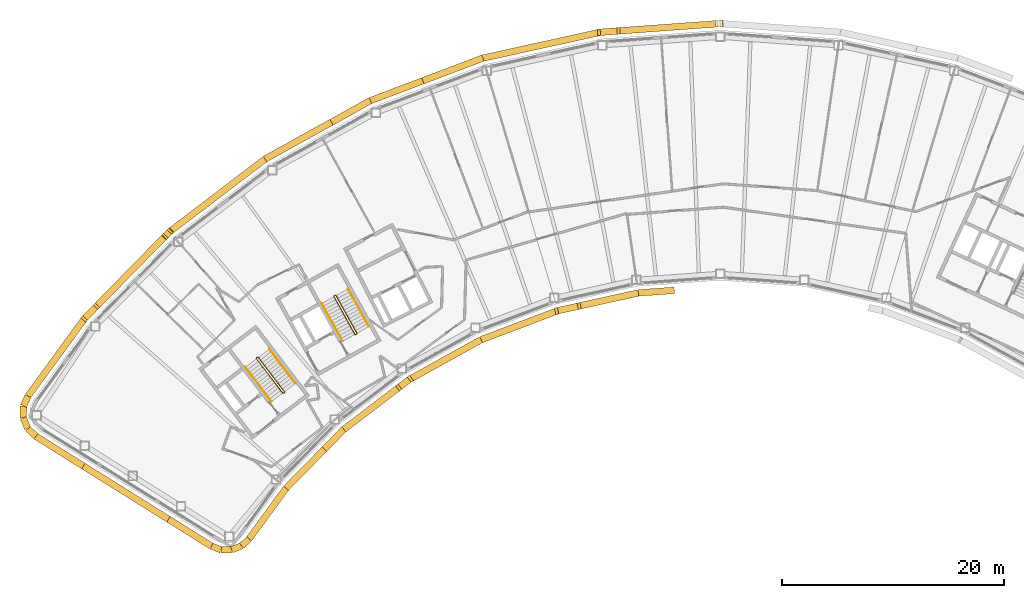
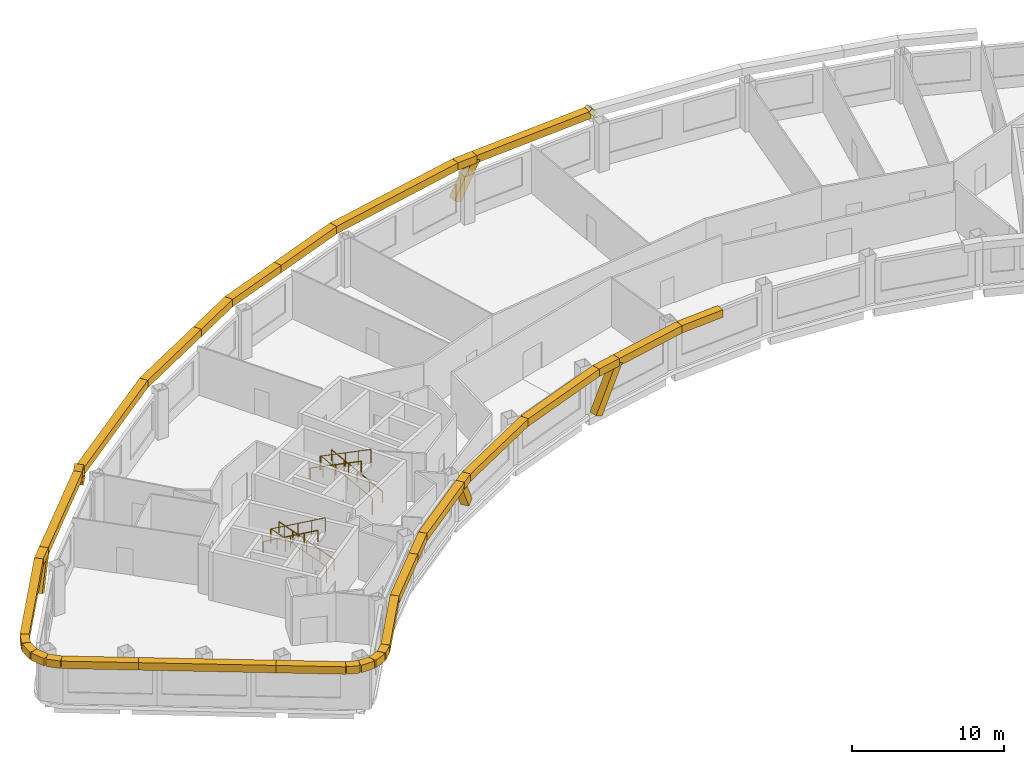
# One storey, part 12 of 13: 40 coverings, 6 railings.
"""IFC4 building model written with IfcOpenShell, lengths in metres."""

from ifc_helpers import new_model, si_unit, direction, frame, origin, origin_2d, place, context, subcontext, project, spatial, rectangle, circle, extrude, material, material_profile, profile_set, type_object, element, save


model = new_model("IFC4")

# Units and contexts
model_context = context("Model", 3, precision=1e-05, world=origin(), true_north=direction((0.0, 1.0)))
body_context = subcontext(model_context, "Body", "Model", "MODEL_VIEW")
ifc_project = project(units=[si_unit("LENGTHUNIT", "METRE"), si_unit("AREAUNIT", "SQUARE_METRE"), si_unit("VOLUMEUNIT", "CUBIC_METRE"), si_unit("PLANEANGLEUNIT", "RADIAN"), si_unit("MASSUNIT", "GRAM", prefix="KILO")], contexts=[model_context])

# Site, building, storey
site_placement = place(None, origin())
site = spatial("IfcSite", under=ifc_project, at=site_placement, CompositionType="ELEMENT")
building_placement = place(site_placement, origin())
building = spatial("IfcBuilding", under=site, at=building_placement, Name="Tuul Gate Civic Tower", CompositionType="ELEMENT")
storey_placement = place(building_placement, frame((0.0, 0.0, 230.5)))
storey = spatial("IfcBuildingStorey", under=building, at=storey_placement, Name="Level 52", CompositionType="ELEMENT", Elevation=230.5)

# Railings
ifc_material_1 = material(Name="Painted steel", Category="steel")
railing_type_1 = type_object("IfcRailingType", Name="Stair guard", PredefinedType="GUARDRAIL", material=ifc_material_1)
railing_1_placement = place(storey_placement, frame((-33.382080078125, -13.515380859375, 0.0)))
element("IfcRailing", 1, at=railing_1_placement, inside=storey, type_object=railing_type_1, Name="Level 52 ST-1 stair guard 1", PredefinedType="GUARDRAIL", context=body_context, shape_type="SweptSolid", body=[
    extrude(circle(Radius=0.02392578125, at=origin_2d()), frame((0.0, 0.0, 1.076171875), z_axis=(-0.795879841968, -0.605454603706, 0.0), x_axis=(0.605454603706, -0.795879841968, 0.0)), (0.0, 0.0, 1.0), 0.10009765625),
    extrude(circle(Radius=0.02392578125, at=origin_2d()), frame((-0.07958984375, -0.060546875, 1.076171875), z_axis=(0.408991890351, 0.599481263939, 0.688002796371), x_axis=(-0.826063974707, 0.563576356576, 0.0)), (0.0, 0.0, 1.0), 0.2177734375),
    extrude(circle(Radius=0.02392578125, at=origin_2d()), frame((0.009521484375, 0.070068359375, 1.22607421875), z_axis=(-0.541810893183, 0.711627203922, 0.44724454012), x_axis=(-0.795637165283, -0.60577347352, 0.0)), (0.0, 0.0, 1.0), 4.3603515625),
    extrude(circle(Radius=0.02392578125, at=origin_2d()), frame((-2.35302734375, 3.173095703125, 3.17626953125), z_axis=(-0.990893089246, 0.134650977284, 0.0), x_axis=(-0.134650977284, -0.990893089246, 0.0)), (0.0, 0.0, 1.0), 0.07080078125),
    extrude(circle(Radius=0.02392578125, at=origin_2d()), frame((-2.423095703125, 3.1826171875, 3.17626953125), z_axis=(-0.793802879778, -0.60817512943, 0.0), x_axis=(0.60817512943, -0.793802879778, 0.0)), (0.0, 0.0, 1.0), 0.099853515625),
    extrude(circle(Radius=0.02392578125, at=origin_2d()), frame((-2.50244140625, 3.121826171875, 3.17626953125), z_axis=(-0.057447065493, -0.422751481959, 0.904423031091), x_axis=(0.990893089246, -0.134650977284, 0.0)), (0.0, 0.0, 1.0), 0.165771484375),
    extrude(circle(Radius=0.02392578125, at=origin_2d()), frame((-2.511962890625, 3.0517578125, 3.326171875), z_axis=(0.541806494602, -0.71163897684, 0.447231136047), x_axis=(0.795644365679, 0.605764016233, 0.0)), (0.0, 0.0, 1.0), 4.360107421875),
    extrude(circle(Radius=0.02099609375, at=origin_2d()), origin(), (0.0, 0.0, 1.0), 1.052001953125),
    extrude(circle(Radius=0.02099609375, at=origin_2d()), frame((-0.07958984375, -0.060546875, 0.0)), (0.0, 0.0, 1.0), 1.052001953125),
    extrude(circle(Radius=0.02099609375, at=origin_2d()), frame((0.009521484375, 0.070068359375, 0.14990234375)), (0.0, 0.0, 1.0), 1.052001953125),
    extrude(circle(Radius=0.02099609375, at=origin_2d()), frame((-0.5810546875, 0.845703125, 0.637451171875)), (0.0, 0.0, 1.0), 1.052001953125),
    extrude(circle(Radius=0.02099609375, at=origin_2d()), frame((-1.171875, 1.62158203125, 1.125)), (0.0, 0.0, 1.0), 1.052001953125),
    extrude(circle(Radius=0.02099609375, at=origin_2d()), frame((-1.762451171875, 2.3974609375, 1.612548828125)), (0.0, 0.0, 1.0), 1.052001953125),
    extrude(circle(Radius=0.02099609375, at=origin_2d()), frame((-2.35302734375, 3.173095703125, 2.10009765625)), (0.0, 0.0, 1.0), 1.052001953125),
    extrude(circle(Radius=0.02099609375, at=origin_2d()), frame((-2.423095703125, 3.1826171875, 2.10009765625)), (0.0, 0.0, 1.0), 1.052001953125),
    extrude(circle(Radius=0.02099609375, at=origin_2d()), frame((-2.50244140625, 3.121826171875, 2.10009765625)), (0.0, 0.0, 1.0), 1.052001953125),
    extrude(circle(Radius=0.02099609375, at=origin_2d()), frame((-2.511962890625, 3.0517578125, 2.25)), (0.0, 0.0, 1.0), 1.052001953125),
    extrude(circle(Radius=0.02099609375, at=origin_2d()), frame((-1.92138671875, 2.276123046875, 2.737548828125)), (0.0, 0.0, 1.0), 1.052001953125),
    extrude(circle(Radius=0.02099609375, at=origin_2d()), frame((-1.330810546875, 1.50048828125, 3.22509765625)), (0.0, 0.0, 1.0), 1.052001953125),
    extrude(circle(Radius=0.02099609375, at=origin_2d()), frame((-0.740234375, 0.724609375, 3.71240234375)), (0.0, 0.0, 1.0), 1.052001953125),
    extrude(circle(Radius=0.02099609375, at=origin_2d()), frame((-0.149658203125, -0.051025390625, 4.199951171875)), (0.0, 0.0, 1.0), 1.052001953125),
])
railing_2_placement = place(storey_placement, frame((-26.857666015625, -8.247314453125, 0.0)))
element("IfcRailing", 2, at=railing_2_placement, inside=storey, type_object=railing_type_1, Name="Level 52 ST-2 stair guard 1", PredefinedType="GUARDRAIL", context=body_context, shape_type="SweptSolid", body=[
    extrude(circle(Radius=0.02392578125, at=origin_2d()), frame((0.0, 0.0, 1.076171875), z_axis=(-0.874616555828, -0.48481530532, 0.0), x_axis=(0.48481530532, -0.874616555828, 0.0)), (0.0, 0.0, 1.0), 0.10009765625),
    extrude(circle(Radius=0.02392578125, at=origin_2d()), frame((-0.087646484375, -0.048583984375, 1.076171875), z_axis=(0.49081399482, 0.534516610797, 0.688036056665), x_axis=(-0.736576986774, 0.676353711126, 0.0)), (0.0, 0.0, 1.0), 0.2177734375),
    extrude(circle(Radius=0.02392578125, at=origin_2d()), frame((0.019287109375, 0.06787109375, 1.22607421875), z_axis=(-0.433539057192, 0.782307594871, 0.447256875739), x_axis=(-0.874667644053, -0.484723129681, 0.0)), (0.0, 0.0, 1.0), 4.3603515625),
    extrude(circle(Radius=0.02392578125, at=origin_2d()), frame((-1.87109375, 3.47900390625, 3.17626953125), z_axis=(-0.961263487578, 0.275631107549, 0.0), x_axis=(-0.275631107549, -0.961263487578, 0.0)), (0.0, 0.0, 1.0), 0.07080078125),
    extrude(circle(Radius=0.02392578125, at=origin_2d()), frame((-1.939208984375, 3.49853515625, 3.17626953125), z_axis=(-0.874042088414, -0.485850211157, 0.0), x_axis=(0.485850211157, -0.874042088414, 0.0)), (0.0, 0.0, 1.0), 0.10009765625),
    extrude(circle(Radius=0.02392578125, at=origin_2d()), frame((-2.026611328125, 3.449951171875, 3.17626953125), z_axis=(-0.117866478395, -0.409586012422, 0.90462522168), x_axis=(0.961000426733, -0.276546885391, 0.0)), (0.0, 0.0, 1.0), 0.165771484375),
    extrude(circle(Radius=0.02392578125, at=origin_2d()), frame((-2.046142578125, 3.382080078125, 3.326171875), z_axis=(0.433595379963, -0.782308193291, 0.447201226726), x_axis=(0.874641102302, 0.484771020343, 0.0)), (0.0, 0.0, 1.0), 4.3603515625),
    extrude(circle(Radius=0.02099609375, at=origin_2d()), origin(), (0.0, 0.0, 1.0), 1.052001953125),
    extrude(circle(Radius=0.02099609375, at=origin_2d()), frame((-0.087646484375, -0.048583984375, 0.0)), (0.0, 0.0, 1.0), 1.052001953125),
    extrude(circle(Radius=0.02099609375, at=origin_2d()), frame((0.019287109375, 0.06787109375, 0.14990234375)), (0.0, 0.0, 1.0), 1.052001953125),
    extrude(circle(Radius=0.02099609375, at=origin_2d()), frame((-0.453369140625, 0.920654296875, 0.637451171875)), (0.0, 0.0, 1.0), 1.052001953125),
    extrude(circle(Radius=0.02099609375, at=origin_2d()), frame((-0.92578125, 1.7734375, 1.125)), (0.0, 0.0, 1.0), 1.052001953125),
    extrude(circle(Radius=0.02099609375, at=origin_2d()), frame((-1.3984375, 2.626220703125, 1.612548828125)), (0.0, 0.0, 1.0), 1.052001953125),
    extrude(circle(Radius=0.02099609375, at=origin_2d()), frame((-1.87109375, 3.47900390625, 2.10009765625)), (0.0, 0.0, 1.0), 1.052001953125),
    extrude(circle(Radius=0.02099609375, at=origin_2d()), frame((-1.939208984375, 3.49853515625, 2.10009765625)), (0.0, 0.0, 1.0), 1.052001953125),
    extrude(circle(Radius=0.02099609375, at=origin_2d()), frame((-2.026611328125, 3.449951171875, 2.10009765625)), (0.0, 0.0, 1.0), 1.052001953125),
    extrude(circle(Radius=0.02099609375, at=origin_2d()), frame((-2.046142578125, 3.382080078125, 2.25)), (0.0, 0.0, 1.0), 1.052001953125),
    extrude(circle(Radius=0.02099609375, at=origin_2d()), frame((-1.573486328125, 2.529296875, 2.737548828125)), (0.0, 0.0, 1.0), 1.052001953125),
    extrude(circle(Radius=0.02099609375, at=origin_2d()), frame((-1.100830078125, 1.676513671875, 3.22509765625)), (0.0, 0.0, 1.0), 1.052001953125),
    extrude(circle(Radius=0.02099609375, at=origin_2d()), frame((-0.628173828125, 0.82373046875, 3.71240234375)), (0.0, 0.0, 1.0), 1.052001953125),
    extrude(circle(Radius=0.02099609375, at=origin_2d()), frame((-0.155517578125, -0.029052734375, 4.199951171875)), (0.0, 0.0, 1.0), 1.052001953125),
])
ifc_material_2 = material(Name="Painted steel", Category="steel")
railing_type_2 = type_object("IfcRailingType", Name="Stair handrail", PredefinedType="HANDRAIL", material=ifc_material_2)
railing_3_placement = place(storey_placement, frame((-32.3779296875, -12.688232421875, 0.14990234375)))
element("IfcRailing", 3, at=railing_3_placement, inside=storey, type_object=railing_type_2, Name="Level 52 ST-1 stair handrail 1", PredefinedType="HANDRAIL", context=body_context, shape_type="SweptSolid", body=[
    extrude(circle(Radius=0.02392578125, at=origin_2d()), frame((0.0, 0.0, 0.8759765625), z_axis=(-0.541810893183, 0.711627203922, 0.44724454012), x_axis=(-0.795637165283, -0.60577347352, 0.0)), (0.0, 0.0, 1.0), 4.3603515625),
    extrude(circle(Radius=0.02099609375, at=origin_2d()), origin(), (0.0, 0.0, 1.0), 0.851806640625),
    extrude(circle(Radius=0.02099609375, at=origin_2d()), frame((-0.590576171875, 0.77587890625, 0.487548828125)), (0.0, 0.0, 1.0), 0.851806640625),
    extrude(circle(Radius=0.02099609375, at=origin_2d()), frame((-1.18115234375, 1.551513671875, 0.97509765625)), (0.0, 0.0, 1.0), 0.851806640625),
    extrude(circle(Radius=0.02099609375, at=origin_2d()), frame((-1.77197265625, 2.3271484375, 1.462646484375)), (0.0, 0.0, 1.0), 0.851806640625),
    extrude(circle(Radius=0.02099609375, at=origin_2d()), frame((-2.362548828125, 3.10302734375, 1.9501953125)), (0.0, 0.0, 1.0), 0.851806640625),
])
railing_4_placement = place(storey_placement, frame((-36.888671875, -11.220703125, 2.25)))
element("IfcRailing", 4, at=railing_4_placement, inside=storey, type_object=railing_type_2, Name="Level 52 ST-1 stair handrail 2", PredefinedType="HANDRAIL", context=body_context, shape_type="SweptSolid", body=[
    extrude(circle(Radius=0.02392578125, at=origin_2d()), frame((0.0, 0.0, 0.8759765625), z_axis=(0.541824460341, -0.711645023348, 0.447199748346), x_axis=(0.795637165283, 0.60577347352, 0.0)), (0.0, 0.0, 1.0), 4.3603515625),
    extrude(circle(Radius=0.02099609375, at=origin_2d()), origin(), (0.0, 0.0, 1.0), 0.851806640625),
    extrude(circle(Radius=0.02099609375, at=origin_2d()), frame((0.590576171875, -0.77587890625, 0.487548828125)), (0.0, 0.0, 1.0), 0.851806640625),
    extrude(circle(Radius=0.02099609375, at=origin_2d()), frame((1.18115234375, -1.551513671875, 0.97509765625)), (0.0, 0.0, 1.0), 0.851806640625),
    extrude(circle(Radius=0.02099609375, at=origin_2d()), frame((1.77197265625, -2.3271484375, 1.46240234375)), (0.0, 0.0, 1.0), 0.851806640625),
    extrude(circle(Radius=0.02099609375, at=origin_2d()), frame((2.362548828125, -3.10302734375, 1.949951171875)), (0.0, 0.0, 1.0), 0.851806640625),
])
railing_5_placement = place(storey_placement, frame((-25.744873046875, -7.573486328125, 0.14990234375)))
element("IfcRailing", 5, at=railing_5_placement, inside=storey, type_object=railing_type_2, Name="Level 52 ST-2 stair handrail 1", PredefinedType="HANDRAIL", context=body_context, shape_type="SweptSolid", body=[
    extrude(circle(Radius=0.02392578125, at=origin_2d()), frame((0.0, 0.0, 0.8759765625), z_axis=(-0.433584522764, 0.782288604346, 0.447246018574), x_axis=(-0.874641102302, -0.484771020343, 0.0)), (0.0, 0.0, 1.0), 4.3603515625),
    extrude(circle(Radius=0.02099609375, at=origin_2d()), origin(), (0.0, 0.0, 1.0), 0.851806640625),
    extrude(circle(Radius=0.02099609375, at=origin_2d()), frame((-0.47265625, 0.852783203125, 0.487548828125)), (0.0, 0.0, 1.0), 0.851806640625),
    extrude(circle(Radius=0.02099609375, at=origin_2d()), frame((-0.9453125, 1.70556640625, 0.97509765625)), (0.0, 0.0, 1.0), 0.851806640625),
    extrude(circle(Radius=0.02099609375, at=origin_2d()), frame((-1.41796875, 2.558349609375, 1.462646484375)), (0.0, 0.0, 1.0), 0.851806640625),
    extrude(circle(Radius=0.02099609375, at=origin_2d()), frame((-1.890625, 3.4111328125, 1.9501953125)), (0.0, 0.0, 1.0), 0.851806640625),
])
railing_6_placement = place(storey_placement, frame((-29.9970703125, -5.47119140625, 2.25)))
element("IfcRailing", 6, at=railing_6_placement, inside=storey, type_object=railing_type_2, Name="Level 52 ST-2 stair handrail 2", PredefinedType="HANDRAIL", context=body_context, shape_type="SweptSolid", body=[
    extrude(circle(Radius=0.02392578125, at=origin_2d()), frame((0.0, 0.0, 0.8759765625), z_axis=(0.433595379963, -0.782308193291, 0.447201226726), x_axis=(0.874641102302, 0.484771020343, 0.0)), (0.0, 0.0, 1.0), 4.3603515625),
    extrude(circle(Radius=0.02099609375, at=origin_2d()), origin(), (0.0, 0.0, 1.0), 0.851806640625),
    extrude(circle(Radius=0.02099609375, at=origin_2d()), frame((0.47265625, -0.852783203125, 0.487548828125)), (0.0, 0.0, 1.0), 0.851806640625),
    extrude(circle(Radius=0.02099609375, at=origin_2d()), frame((0.9453125, -1.70556640625, 0.97509765625)), (0.0, 0.0, 1.0), 0.851806640625),
    extrude(circle(Radius=0.02099609375, at=origin_2d()), frame((1.41796875, -2.558349609375, 1.46240234375)), (0.0, 0.0, 1.0), 0.851806640625),
    extrude(circle(Radius=0.02099609375, at=origin_2d()), frame((1.890625, -3.4111328125, 1.949951171875)), (0.0, 0.0, 1.0), 0.851806640625),
])

# Coverings
ifc_material_3 = material(Name="Terracotta baguette", Category="masonry")
ifc_material_profile = material_profile(ifc_material_3, rectangle(XDim=0.60009765625, YDim=0.60009765625, at=origin_2d()), Name="Terracotta baguette screen frame")
ifc_profile_set = profile_set([ifc_material_profile], Name="Terracotta baguette")
covering_type = type_object("IfcCoveringType", Name="Terracotta baguette screen frame", PredefinedType="CLADDING", material=ifc_profile_set)
covering_1_placement = place(storey_placement, frame((5.93994140625, 19.76904296875, 4.099365234375), z_axis=(-0.731896809829, -0.053228858897, -0.679333311669), x_axis=(0.072535695779, -0.997365816959, 0.0)))
element("IfcCovering", 7, at=covering_1_placement, inside=storey, type_object=covering_type, Name="Baguette 72", PredefinedType="CLADDING", context=body_context, shape_type="SweptSolid", body=[
    extrude(rectangle(XDim=0.60009765625, YDim=0.60009765625, at=origin_2d()), origin(), (0.0, 0.0, 1.0), 0.366943359375),
])
covering_2_placement = place(storey_placement, frame((5.67138671875, 19.74951171875, 3.85009765625), z_axis=(-0.997380380277, -0.072335171524, 0.0), x_axis=(0.072335171524, -0.997380380277, 0.0)))
element("IfcCovering", 8, at=covering_2_placement, inside=storey, type_object=covering_type, Name="Baguette 78", PredefinedType="CLADDING", context=body_context, shape_type="SweptSolid", body=[
    extrude(rectangle(XDim=0.60009765625, YDim=0.60009765625, at=origin_2d()), origin(), (0.0, 0.0, 1.0), 9.072265625),
])
covering_3_placement = place(storey_placement, frame((-3.377197265625, 19.09326171875, 3.85009765625), z_axis=(-0.473907258858, -0.034338879026, -0.879904967249), x_axis=(0.072269598768, -0.997385133784, 0.0)))
element("IfcCovering", 9, at=covering_3_placement, inside=storey, type_object=covering_type, Name="Baguette 83", PredefinedType="CLADDING", context=body_context, shape_type="SweptSolid", body=[
    extrude(rectangle(XDim=0.60009765625, YDim=0.60009765625, at=origin_2d()), origin(), (0.0, 0.0, 1.0), 3.177978515625),
])
covering_4_placement = place(storey_placement, frame((-20.889892578125, 14.603515625, 3.85009765625), z_axis=(-0.935375437062, -0.353656318679, 0.0), x_axis=(0.353656318679, -0.935375437062, 0.0)))
element("IfcCovering", 10, at=covering_4_placement, inside=storey, type_object=covering_type, Name="Baguette 99", PredefinedType="CLADDING", context=body_context, shape_type="SweptSolid", body=[
    extrude(rectangle(XDim=0.60009765625, YDim=0.60009765625, at=origin_2d()), origin(), (0.0, 0.0, 1.0), 5.067626953125),
])
covering_5_placement = place(storey_placement, frame((-25.630126953125, 12.811279296875, 3.85009765625), z_axis=(-0.874611227517, -0.484824917575, 0.0), x_axis=(0.484824917575, -0.874611227517, 0.0)))
element("IfcCovering", 11, at=covering_5_placement, inside=storey, type_object=covering_type, Name="Baguette 100", PredefinedType="CLADDING", context=body_context, shape_type="SweptSolid", body=[
    extrude(rectangle(XDim=0.60009765625, YDim=0.60009765625, at=origin_2d()), origin(), (0.0, 0.0, 1.0), 4.0048828125),
])
covering_6_placement = place(storey_placement, frame((-43.753662109375, 0.976806640625, 4.2646484375), z_axis=(-0.513389249623, -0.524193232273, -0.679450464427), x_axis=(0.714430906799, -0.69970599498, 0.0)))
element("IfcCovering", 12, at=covering_6_placement, inside=storey, type_object=covering_type, Name="Baguette 114", PredefinedType="CLADDING", context=body_context, shape_type="SweptSolid", body=[
    extrude(rectangle(XDim=0.60009765625, YDim=0.60009765625, at=origin_2d()), origin(), (0.0, 0.0, 1.0), 0.610107421875),
])
covering_7_placement = place(storey_placement, frame((-44.06689453125, 0.656982421875, 3.85009765625), z_axis=(0.332358905678, 0.339353208447, -0.879986907706), x_axis=(-0.714430906799, 0.69970599498, 0.0)))
element("IfcCovering", 13, at=covering_7_placement, inside=storey, type_object=covering_type, Name="Baguette 118", PredefinedType="CLADDING", context=body_context, shape_type="SweptSolid", body=[
    extrude(rectangle(XDim=0.60009765625, YDim=0.60009765625, at=origin_2d()), origin(), (0.0, 0.0, 1.0), 0.9423828125),
])
covering_8_placement = place(storey_placement, frame((-44.06689453125, 0.656982421875, 3.85009765625), z_axis=(-0.69999391998, -0.714148802415, 0.0), x_axis=(0.714148802415, -0.69999391998, 0.0)))
element("IfcCovering", 14, at=covering_8_placement, inside=storey, type_object=covering_type, Name="Baguette 120", PredefinedType="CLADDING", context=body_context, shape_type="SweptSolid", body=[
    extrude(rectangle(XDim=0.60009765625, YDim=0.60009765625, at=origin_2d()), origin(), (0.0, 0.0, 1.0), 9.072265625),
])
covering_9_placement = place(storey_placement, frame((-50.41748046875, -5.822021484375, 3.85009765625), z_axis=(-0.332654431054, -0.33927615362, -0.879904950029), x_axis=(0.714040485418, -0.700104410202, 0.0)))
element("IfcCovering", 15, at=covering_9_placement, inside=storey, type_object=covering_type, Name="Baguette 125", PredefinedType="CLADDING", context=body_context, shape_type="SweptSolid", body=[
    extrude(rectangle(XDim=0.60009765625, YDim=0.60009765625, at=origin_2d()), origin(), (0.0, 0.0, 1.0), 2.802001953125),
])
covering_10_placement = place(storey_placement, frame((-51.505615234375, -20.144287109375, 3.85009765625), z_axis=(0.848051326016, -0.529914095342, 0.0), x_axis=(0.529914095342, 0.848051326016, 0.0)))
element("IfcCovering", 16, at=covering_10_placement, inside=storey, type_object=covering_type, Name="Baguette 152", PredefinedType="CLADDING", context=body_context, shape_type="SweptSolid", body=[
    extrude(rectangle(XDim=0.60009765625, YDim=0.60009765625, at=origin_2d()), origin(), (0.0, 0.0, 1.0), 9.052978515625),
])
covering_11_placement = place(storey_placement, frame((-29.767578125, -18.612060546875, 3.85009765625), z_axis=(0.699987797837, 0.714154803162, 0.0), x_axis=(-0.714154803162, 0.699987797837, 0.0)))
element("IfcCovering", 17, at=covering_11_placement, inside=storey, type_object=covering_type, Name="Baguette 184", PredefinedType="CLADDING", context=body_context, shape_type="SweptSolid", body=[
    extrude(rectangle(XDim=0.60009765625, YDim=0.60009765625, at=origin_2d()), origin(), (0.0, 0.0, 1.0), 2.4814453125),
])
covering_12_placement = place(storey_placement, frame((-28.030517578125, -16.83984375, 3.85009765625), z_axis=(0.795586533253, 0.605839969057, 0.0), x_axis=(-0.605839969057, 0.795586533253, 0.0)))
element("IfcCovering", 18, at=covering_12_placement, inside=storey, type_object=covering_type, Name="Baguette 185", PredefinedType="CLADDING", context=body_context, shape_type="SweptSolid", body=[
    extrude(rectangle(XDim=0.60009765625, YDim=0.60009765625, at=origin_2d()), origin(), (0.0, 0.0, 1.0), 6.370361328125),
])
covering_13_placement = place(storey_placement, frame((-22.96240234375, -12.98046875, 3.85009765625), z_axis=(0.370796373736, 0.282387396518, -0.884741435399), x_axis=(-0.605874698824, 0.795560085302, 0.0)))
element("IfcCovering", 19, at=covering_13_placement, inside=storey, type_object=covering_type, Name="Baguette 190", PredefinedType="CLADDING", context=body_context, shape_type="SweptSolid", body=[
    extrude(rectangle(XDim=0.60009765625, YDim=0.60009765625, at=origin_2d()), origin(), (0.0, 0.0, 1.0), 2.247802734375),
])
covering_14_placement = place(storey_placement, frame((-6.925048828125, -5.73388671875, 3.85009765625), z_axis=(-0.45518057448, -0.10035231072, -0.884725979244), x_axis=(0.215296786561, -0.976548664275, 0.0)))
element("IfcCovering", 20, at=covering_14_placement, inside=storey, type_object=covering_type, Name="Baguette 208", PredefinedType="CLADDING", context=body_context, shape_type="SweptSolid", body=[
    extrude(rectangle(XDim=0.60009765625, YDim=0.60009765625, at=origin_2d()), origin(), (0.0, 0.0, 1.0), 3.90478515625),
])
covering_15_placement = place(storey_placement, frame((-6.925048828125, -5.73388671875, 3.85009765625), z_axis=(0.976560188543, 0.215244507836, 0.0), x_axis=(-0.215244507836, 0.976560188543, 0.0)))
element("IfcCovering", 21, at=covering_15_placement, inside=storey, type_object=covering_type, Name="Baguette 210", PredefinedType="CLADDING", context=body_context, shape_type="SweptSolid", body=[
    extrude(rectangle(XDim=0.60009765625, YDim=0.60009765625, at=origin_2d()), origin(), (0.0, 0.0, 1.0), 5.597412109375),
])
covering_16_placement = place(storey_placement, frame((-1.458740234375, -4.529052734375, 3.85009765625), z_axis=(0.997392392796, 0.072169348016, 0.0), x_axis=(-0.072169348016, 0.997392392796, 0.0)))
element("IfcCovering", 22, at=covering_16_placement, inside=storey, type_object=covering_type, Name="Baguette 211", PredefinedType="CLADDING", context=body_context, shape_type="SweptSolid", body=[
    extrude(rectangle(XDim=0.60009765625, YDim=0.60009765625, at=origin_2d()), origin(), (0.0, 0.0, 1.0), 3.25439453125),
])
covering_17_placement = place(storey_placement, frame((-3.377197265625, 19.09326171875, 3.85009765625), z_axis=(-0.997385133784, -0.072269598768, 0.0), x_axis=(0.072269598768, -0.997385133784, 0.0)))
element("IfcCovering", 23, at=covering_17_placement, inside=storey, type_object=covering_type, Name="Baguette 311", PredefinedType="CLADDING", context=body_context, shape_type="SweptSolid", body=[
    extrude(rectangle(XDim=0.60009765625, YDim=0.60009765625, at=origin_2d()), origin(), (0.0, 0.0, 1.0), 1.510009765625),
])
covering_18_placement = place(storey_placement, frame((-4.88330078125, 18.984130859375, 3.85009765625), z_axis=(-0.976565652409, -0.215219716881, 0.0), x_axis=(0.215219716881, -0.976565652409, 0.0)))
element("IfcCovering", 24, at=covering_18_placement, inside=storey, type_object=covering_type, Name="Baguette 312", PredefinedType="CLADDING", context=body_context, shape_type="SweptSolid", body=[
    extrude(rectangle(XDim=0.60009765625, YDim=0.60009765625, at=origin_2d()), origin(), (0.0, 0.0, 1.0), 10.8515625),
])
covering_19_placement = place(storey_placement, frame((-15.48046875, 16.648681640625, 3.85009765625), z_axis=(-0.935380259601, -0.353643563419, 0.0), x_axis=(0.353643563419, -0.935380259601, 0.0)))
element("IfcCovering", 25, at=covering_19_placement, inside=storey, type_object=covering_type, Name="Baguette 313", PredefinedType="CLADDING", context=body_context, shape_type="SweptSolid", body=[
    extrude(rectangle(XDim=0.60009765625, YDim=0.60009765625, at=origin_2d()), origin(), (0.0, 0.0, 1.0), 5.783203125),
])
covering_20_placement = place(storey_placement, frame((-29.1328125, 10.86962890625, 3.85009765625), z_axis=(-0.87460269701, -0.484840306062, 0.0), x_axis=(0.484840306062, -0.87460269701, 0.0)))
element("IfcCovering", 26, at=covering_20_placement, inside=storey, type_object=covering_type, Name="Baguette 316", PredefinedType="CLADDING", context=body_context, shape_type="SweptSolid", body=[
    extrude(rectangle(XDim=0.60009765625, YDim=0.60009765625, at=origin_2d()), origin(), (0.0, 0.0, 1.0), 6.845703125),
])
covering_21_placement = place(storey_placement, frame((-35.1201171875, 7.550537109375, 3.85009765625), z_axis=(-0.795618643442, -0.605797799771, 0.0), x_axis=(0.605797799771, -0.795618643442, 0.0)))
element("IfcCovering", 27, at=covering_21_placement, inside=storey, type_object=covering_type, Name="Baguette 317", PredefinedType="CLADDING", context=body_context, shape_type="SweptSolid", body=[
    extrude(rectangle(XDim=0.60009765625, YDim=0.60009765625, at=origin_2d()), origin(), (0.0, 0.0, 1.0), 10.851318359375),
])
covering_22_placement = place(storey_placement, frame((-43.753662109375, 0.976806640625, 3.85009765625), z_axis=(-0.69970599498, -0.714430906799, 0.0), x_axis=(0.714430906799, -0.69970599498, 0.0)))
element("IfcCovering", 28, at=covering_22_placement, inside=storey, type_object=covering_type, Name="Baguette 318", PredefinedType="CLADDING", context=body_context, shape_type="SweptSolid", body=[
    extrude(rectangle(XDim=0.60009765625, YDim=0.60009765625, at=origin_2d()), origin(), (0.0, 0.0, 1.0), 0.44775390625),
])
covering_23_placement = place(storey_placement, frame((-50.41748046875, -5.822021484375, 3.85009765625), z_axis=(-0.700104410202, -0.714040485418, 0.0), x_axis=(0.714040485418, -0.700104410202, 0.0)))
element("IfcCovering", 29, at=covering_23_placement, inside=storey, type_object=covering_type, Name="Baguette 326", PredefinedType="CLADDING", context=body_context, shape_type="SweptSolid", body=[
    extrude(rectangle(XDim=0.60009765625, YDim=0.60009765625, at=origin_2d()), origin(), (0.0, 0.0, 1.0), 1.331298828125),
])
covering_24_placement = place(storey_placement, frame((-51.349609375, -6.772705078125, 3.85009765625), z_axis=(-0.589882040024, -0.807489429564, 0.0), x_axis=(0.807489429564, -0.589882040024, 0.0)))
element("IfcCovering", 30, at=covering_24_placement, inside=storey, type_object=covering_type, Name="Baguette 327", PredefinedType="CLADDING", context=body_context, shape_type="SweptSolid", body=[
    extrude(rectangle(XDim=0.60009765625, YDim=0.60009765625, at=origin_2d()), origin(), (0.0, 0.0, 1.0), 8.7353515625),
])
covering_25_placement = place(storey_placement, frame((-56.50244140625, -13.826416015625, 3.85009765625), z_axis=(-0.411904289645, -0.911227115582, 0.0), x_axis=(0.911227115582, -0.411904289645, 0.0)))
element("IfcCovering", 31, at=covering_25_placement, inside=storey, type_object=covering_type, Name="Baguette 328", PredefinedType="CLADDING", context=body_context, shape_type="SweptSolid", body=[
    extrude(rectangle(XDim=0.60009765625, YDim=0.60009765625, at=origin_2d()), origin(), (0.0, 0.0, 1.0), 0.988525390625),
])
covering_26_placement = place(storey_placement, frame((-56.90966796875, -14.727294921875, 3.85009765625), z_axis=(-0.014657151856, -0.99989257818, 0.0), x_axis=(0.99989257818, -0.014657151856, 0.0)))
element("IfcCovering", 32, at=covering_26_placement, inside=storey, type_object=covering_type, Name="Baguette 329", PredefinedType="CLADDING", context=body_context, shape_type="SweptSolid", body=[
    extrude(rectangle(XDim=0.60009765625, YDim=0.60009765625, at=origin_2d()), origin(), (0.0, 0.0, 1.0), 1.06591796875),
])
covering_27_placement = place(storey_placement, frame((-56.92529296875, -15.793212890625, 3.85009765625), z_axis=(0.385784883999, -0.922588761734, 0.0), x_axis=(0.922588761734, 0.385784883999, 0.0)))
element("IfcCovering", 33, at=covering_27_placement, inside=storey, type_object=covering_type, Name="Baguette 330", PredefinedType="CLADDING", context=body_context, shape_type="SweptSolid", body=[
    extrude(rectangle(XDim=0.60009765625, YDim=0.60009765625, at=origin_2d()), origin(), (0.0, 0.0, 1.0), 1.06689453125),
])
covering_28_placement = place(storey_placement, frame((-56.513671875, -16.777587890625, 3.85009765625), z_axis=(0.722137314744, -0.691749737011, 0.0), x_axis=(0.691749737011, 0.722137314744, 0.0)))
element("IfcCovering", 34, at=covering_28_placement, inside=storey, type_object=covering_type, Name="Baguette 331", PredefinedType="CLADDING", context=body_context, shape_type="SweptSolid", body=[
    extrude(rectangle(XDim=0.60009765625, YDim=0.60009765625, at=origin_2d()), origin(), (0.0, 0.0, 1.0), 0.98828125),
])
covering_29_placement = place(storey_placement, frame((-55.800048828125, -17.461181640625, 3.85009765625), z_axis=(0.848079553138, -0.529868919215, 0.0), x_axis=(0.529868919215, 0.848079553138, 0.0)))
element("IfcCovering", 35, at=covering_29_placement, inside=storey, type_object=covering_type, Name="Baguette 332", PredefinedType="CLADDING", context=body_context, shape_type="SweptSolid", body=[
    extrude(rectangle(XDim=0.60009765625, YDim=0.60009765625, at=origin_2d()), origin(), (0.0, 0.0, 1.0), 5.063720703125),
])
covering_30_placement = place(storey_placement, frame((-43.828125, -24.941650390625, 3.85009765625), z_axis=(0.848043227291, -0.529927055967, 0.0), x_axis=(0.529927055967, 0.848043227291, 0.0)))
element("IfcCovering", 36, at=covering_30_placement, inside=storey, type_object=covering_type, Name="Baguette 340", PredefinedType="CLADDING", context=body_context, shape_type="SweptSolid", body=[
    extrude(rectangle(XDim=0.60009765625, YDim=0.60009765625, at=origin_2d()), origin(), (0.0, 0.0, 1.0), 4.579345703125),
])
covering_31_placement = place(storey_placement, frame((-39.944580078125, -27.368408203125, 3.85009765625), z_axis=(0.93189278144, -0.362733847194, 0.0), x_axis=(0.362733847194, 0.93189278144, 0.0)))
element("IfcCovering", 37, at=covering_31_placement, inside=storey, type_object=covering_type, Name="Baguette 341", PredefinedType="CLADDING", context=body_context, shape_type="SweptSolid", body=[
    extrude(rectangle(XDim=0.60009765625, YDim=0.60009765625, at=origin_2d()), origin(), (0.0, 0.0, 1.0), 0.901123046875),
])
covering_32_placement = place(storey_placement, frame((-39.104736328125, -27.6953125, 3.85009765625), z_axis=(0.999996192163, 0.002759648297, 0.0), x_axis=(-0.002759648297, 0.999996192163, 0.0)))
element("IfcCovering", 38, at=covering_32_placement, inside=storey, type_object=covering_type, Name="Baguette 342", PredefinedType="CLADDING", context=body_context, shape_type="SweptSolid", body=[
    extrude(rectangle(XDim=0.60009765625, YDim=0.60009765625, at=origin_2d()), origin(), (0.0, 0.0, 1.0), 0.97314453125),
])
covering_33_placement = place(storey_placement, frame((-38.131591796875, -27.692626953125, 3.85009765625), z_axis=(0.929477054746, 0.368879932634, 0.0), x_axis=(-0.368879932634, 0.929477054746, 0.0)))
element("IfcCovering", 39, at=covering_33_placement, inside=storey, type_object=covering_type, Name="Baguette 343", PredefinedType="CLADDING", context=body_context, shape_type="SweptSolid", body=[
    extrude(rectangle(XDim=0.60009765625, YDim=0.60009765625, at=origin_2d()), origin(), (0.0, 0.0, 1.0), 0.972900390625),
])
covering_34_placement = place(storey_placement, frame((-37.227294921875, -27.333740234375, 3.85009765625), z_axis=(0.730001285686, 0.683445771731, 0.0), x_axis=(-0.683445771731, 0.730001285686, 0.0)))
element("IfcCovering", 40, at=covering_34_placement, inside=storey, type_object=covering_type, Name="Baguette 344", PredefinedType="CLADDING", context=body_context, shape_type="SweptSolid", body=[
    extrude(rectangle(XDim=0.60009765625, YDim=0.60009765625, at=origin_2d()), origin(), (0.0, 0.0, 1.0), 0.902099609375),
])
covering_35_placement = place(storey_placement, frame((-36.56884765625, -26.71728515625, 3.85009765625), z_axis=(0.589841740077, 0.807518867682, 0.0), x_axis=(-0.807518867682, 0.589841740077, 0.0)))
element("IfcCovering", 41, at=covering_35_placement, inside=storey, type_object=covering_type, Name="Baguette 345", PredefinedType="CLADDING", context=body_context, shape_type="SweptSolid", body=[
    extrude(rectangle(XDim=0.60009765625, YDim=0.60009765625, at=origin_2d()), origin(), (0.0, 0.0, 1.0), 5.671875),
])
covering_36_placement = place(storey_placement, frame((-33.223388671875, -22.13720703125, 3.85009765625), z_axis=(0.700049159766, 0.714094653328, 0.0), x_axis=(-0.714094653328, 0.700049159766, 0.0)))
element("IfcCovering", 42, at=covering_36_placement, inside=storey, type_object=covering_type, Name="Baguette 346", PredefinedType="CLADDING", context=body_context, shape_type="SweptSolid", body=[
    extrude(rectangle(XDim=0.60009765625, YDim=0.60009765625, at=origin_2d()), origin(), (0.0, 0.0, 1.0), 4.9365234375),
])
covering_37_placement = place(storey_placement, frame((-22.96240234375, -12.98046875, 3.85009765625), z_axis=(0.795560085302, 0.605874698824, 0.0), x_axis=(-0.605874698824, 0.795560085302, 0.0)))
element("IfcCovering", 43, at=covering_37_placement, inside=storey, type_object=covering_type, Name="Baguette 351", PredefinedType="CLADDING", context=body_context, shape_type="SweptSolid", body=[
    extrude(rectangle(XDim=0.60009765625, YDim=0.60009765625, at=origin_2d()), origin(), (0.0, 0.0, 1.0), 1.047607421875),
])
covering_38_placement = place(storey_placement, frame((-22.12890625, -12.345703125, 3.85009765625), z_axis=(0.874616400337, 0.484815585828, 0.0), x_axis=(-0.484815585828, 0.874616400337, 0.0)))
element("IfcCovering", 44, at=covering_38_placement, inside=storey, type_object=covering_type, Name="Baguette 352", PredefinedType="CLADDING", context=body_context, shape_type="SweptSolid", body=[
    extrude(rectangle(XDim=0.60009765625, YDim=0.60009765625, at=origin_2d()), origin(), (0.0, 0.0, 1.0), 7.418212890625),
])
covering_39_placement = place(storey_placement, frame((-15.640869140625, -8.749267578125, 3.85009765625), z_axis=(0.935368082117, 0.353675770951, 0.0), x_axis=(-0.353675770951, 0.935368082117, 0.0)))
element("IfcCovering", 45, at=covering_39_placement, inside=storey, type_object=covering_type, Name="Baguette 353", PredefinedType="CLADDING", context=body_context, shape_type="SweptSolid", body=[
    extrude(rectangle(XDim=0.60009765625, YDim=0.60009765625, at=origin_2d()), origin(), (0.0, 0.0, 1.0), 7.41796875),
])
covering_40_placement = place(storey_placement, frame((-8.702392578125, -6.125732421875, 3.85009765625), z_axis=(0.976548664275, 0.215296786561, 0.0), x_axis=(-0.215296786561, 0.976548664275, 0.0)))
element("IfcCovering", 46, at=covering_40_placement, inside=storey, type_object=covering_type, Name="Baguette 354", PredefinedType="CLADDING", context=body_context, shape_type="SweptSolid", body=[
    extrude(rectangle(XDim=0.60009765625, YDim=0.60009765625, at=origin_2d()), origin(), (0.0, 0.0, 1.0), 1.820068359375),
])

save(model, "model.ifc")
